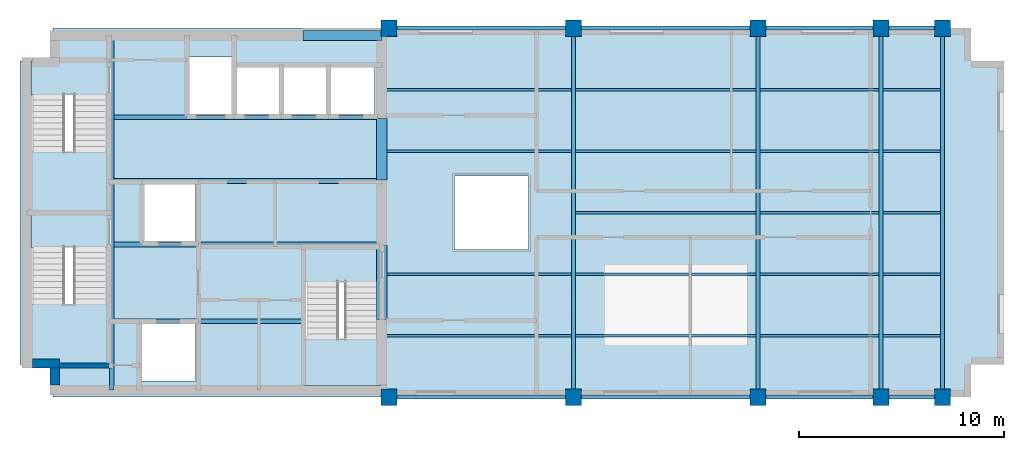
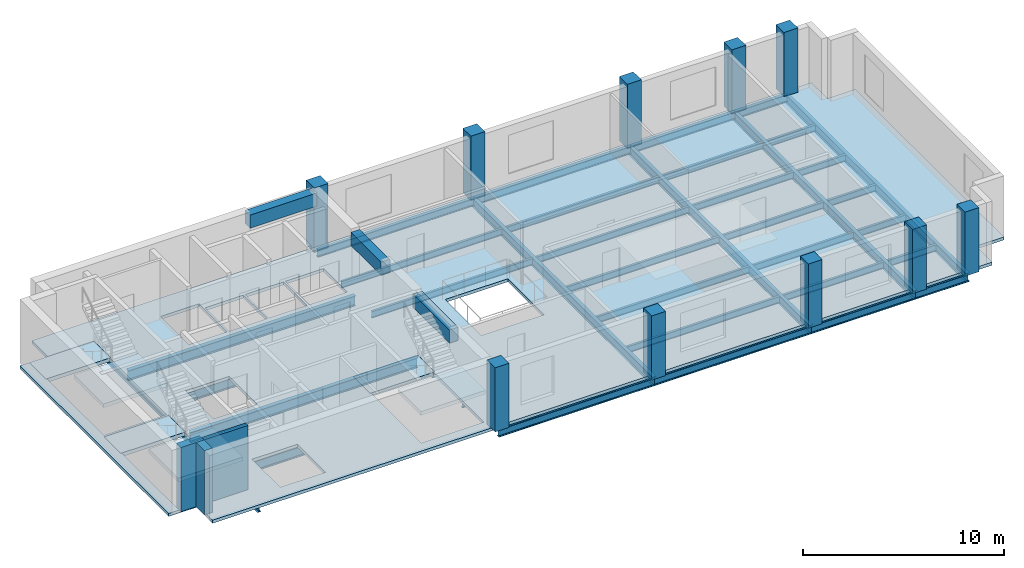
# One storey, part 1 of 5: 39 beams, 10 columns, 7 slabs, 3 walls, 3 elements without a shape of their own.
"""IFC4 building model written with IfcOpenShell, lengths in metres."""

from ifc_helpers import new_model, si_unit, direction, frame, frame_2d, origin, origin_2d, place, context, subcontext, project, spatial, polyline, rectangle, i_section, outline, extrude, material, layer, layer_set, material_profile, profile_set, type_object, element, aggregate, save


model = new_model("IFC4")

# Units and contexts
model_context = context("Model", 3, precision=1e-05, world=origin(), true_north=direction((0.0, 1.0)))
body_context = subcontext(model_context, "Body", "Model", "MODEL_VIEW")
ifc_project = project(units=[si_unit("LENGTHUNIT", "METRE"), si_unit("AREAUNIT", "SQUARE_METRE"), si_unit("VOLUMEUNIT", "CUBIC_METRE"), si_unit("PLANEANGLEUNIT", "RADIAN"), si_unit("MASSUNIT", "GRAM", prefix="KILO")], contexts=[model_context])

# Site, building, storey
site_placement = place(None, origin())
site = spatial("IfcSite", under=ifc_project, at=site_placement, CompositionType="ELEMENT")
building_placement = place(site_placement, origin())
building = spatial("IfcBuilding", under=site, at=building_placement, Name="Mawjdan Bourse Tower", CompositionType="ELEMENT")
storey_placement = place(building_placement, frame((0.0, 0.0, 282.0)))
storey = spatial("IfcBuildingStorey", under=building, at=storey_placement, Name="L69", CompositionType="ELEMENT", Elevation=282.0)

# Columns
ifc_material_1 = material(Name="Concrete C60/75", Category="concrete")
ifc_material_profile_1 = material_profile(ifc_material_1, rectangle(XDim=0.800048828125, YDim=0.800048828125, at=origin_2d()), Name="RC800X800")
ifc_profile_set_1 = profile_set([ifc_material_profile_1], Name="Concrete C60/75")
column_type = type_object("IfcColumnType", Name="COL-RC800X800", PredefinedType="COLUMN", material=ifc_profile_set_1)
for number, where, z_axis, x_axis, name in (
    (1, (24.0, 3.0, 0.0), (0.0, 0.0, 1.0), (1.0, 0.0, 0.0), "L69 Structural Column C-X240-Y30"),
    (2, (24.0, 21.0, 0.0), (0.0, 0.0, 1.0), (1.0, 0.0, 0.0), "L69 Structural Column C-X240-Y210"),
    (3, (33.0, 3.0, 0.0), (0.0, 0.0, 1.0), (1.0, 0.0, 0.0), "L69 Structural Column C-X330-Y30"),
    (4, (33.0, 21.0, 0.0), (0.0, 0.0, 1.0), (1.0, 0.0, 0.0), "L69 Structural Column C-X330-Y210"),
    (5, (42.0, 3.0, 0.0), (0.0, 0.0, 1.0), (1.0, 0.0, 0.0), "L69 Structural Column C-X420-Y30"),
    (6, (42.0, 21.0, 0.0), (0.0, 0.0, 1.0), (1.0, 0.0, 0.0), "L69 Structural Column C-X420-Y210"),
    (7, (48.0, 3.0, 0.0), (0.0, 0.0, 1.0), (1.0, 0.0, 0.0), "L69 Structural Column C-X480-Y30"),
    (8, (48.0, 21.0, 0.0), (0.0, 0.0, 1.0), (1.0, 0.0, 0.0), "L69 Structural Column C-X480-Y210"),
    (9, (51.0, 3.0, 0.0), (0.0, 0.0, 1.0), (1.0, 0.0, 0.0), "L69 Structural Column C-X510-Y30"),
    (10, (51.0, 21.0, 0.0), (0.0, 0.0, 1.0), (1.0, 0.0, 0.0), "L69 Structural Column C-X510-Y210"),
):
    element("IfcColumn", number, at=place(storey_placement, frame(where, z_axis=z_axis, x_axis=x_axis)), inside=storey, type_object=column_type, Name=name, PredefinedType="COLUMN", context=body_context, shape_type="SweptSolid", body=[
        extrude(rectangle(XDim=0.800048828125, YDim=0.800048828125, at=origin_2d()), origin(), (0.0, 0.0, 1.0), 3.89990234375),
    ])

# Beams
ifc_material_2 = material(Name="Structural Steel S355", Category="steel")
ifc_material_profile_2 = material_profile(ifc_material_2, i_section(OverallWidth=0.2119140625, OverallDepth=0.5439453125, WebThickness=0.01318359375, FlangeThickness=0.021240234375, FilletRadius=0.01708984375, at=origin_2d()), Name="W21X83")
ifc_profile_set_2 = profile_set([ifc_material_profile_2], Name="Structural Steel S355")
beam_type_1 = type_object("IfcBeamType", Name="GRD-W21X83", PredefinedType="BEAM", material=ifc_profile_set_2)
beam_1_placement = place(storey_placement, frame((10.47998046875, 3.35009765625, -0.45703125), z_axis=(0.0, 1.0, 0.0), x_axis=(-1.0, 0.0, 0.0)))
element("IfcBeam", 11, at=beam_1_placement, inside=storey, type_object=beam_type_1, Name="L69 Core Stair Trimmer Girder 001", PredefinedType="BEAM", context=body_context, shape_type="SweptSolid", body=[
    extrude(i_section(OverallWidth=0.2119140625, OverallDepth=0.5439453125, WebThickness=0.01318359375, FlangeThickness=0.021240234375, FilletRadius=0.01708984375, at=origin_2d()), origin(), (0.0, 0.0, 1.0), 17.2998046875),
])
for number, where, z_axis, x_axis, name in (
    (12, (33.0, 3.0, -0.45703125), (0.0, 1.0, 0.0), (-1.0, 0.0, 0.0), "L69 East Wing Clear-Span Girder 002"),
    (13, (42.0, 3.0, -0.45703125), (0.0, 1.0, 0.0), (-1.0, 0.0, 0.0), "L69 East Wing Clear-Span Girder 003"),
    (14, (48.0, 3.0, -0.45703125), (0.0, 1.0, 0.0), (-1.0, 0.0, 0.0), "L69 East Wing Clear-Span Girder 004"),
    (15, (51.0, 3.0, -0.45703125), (0.0, 1.0, 0.0), (-1.0, 0.0, 0.0), "L69 East Wing Clear-Span Girder 005"),
):
    element("IfcBeam", number, at=place(storey_placement, frame(where, z_axis=z_axis, x_axis=x_axis)), inside=storey, type_object=beam_type_1, Name=name, PredefinedType="BEAM", context=body_context, shape_type="SweptSolid", body=[
        extrude(i_section(OverallWidth=0.2119140625, OverallDepth=0.5439453125, WebThickness=0.01318359375, FlangeThickness=0.021240234375, FilletRadius=0.01708984375, at=origin_2d()), origin(), (0.0, 0.0, 1.0), 18.0),
    ])
ifc_material_profile_3 = material_profile(ifc_material_2, i_section(OverallWidth=0.139892578125, OverallDepth=0.404052734375, WebThickness=0.007080078125, FlangeThickness=0.01123046875, FilletRadius=0.009033203125, at=origin_2d()), Name="W16X31")
ifc_profile_set_3 = profile_set([ifc_material_profile_3], Name="Structural Steel S355")
beam_type_2 = type_object("IfcBeamType", Name="JST-W16X31", PredefinedType="JOIST", material=ifc_profile_set_3)
beam_2_placement = place(storey_placement, frame((23.64990234375, 6.0, -0.386962890625), z_axis=(1.0, 0.0, 0.0), x_axis=(0.0, 1.0, 0.0)))
element("IfcBeam", 16, at=beam_2_placement, inside=storey, type_object=beam_type_2, Name="L69 East Wing Composite Joist 014", PredefinedType="JOIST", context=body_context, shape_type="SweptSolid", body=[
    extrude(i_section(OverallWidth=0.139892578125, OverallDepth=0.404052734375, WebThickness=0.007080078125, FlangeThickness=0.01123046875, FilletRadius=0.009033203125, at=origin_2d()), origin(), (0.0, 0.0, 1.0), 9.24609375),
])
beam_3_placement = place(storey_placement, frame((33.10400390625, 6.0, -0.386962890625), z_axis=(1.0, 0.0, 0.0), x_axis=(0.0, 1.0, 0.0)))
element("IfcBeam", 17, at=beam_3_placement, inside=storey, type_object=beam_type_2, Name="L69 East Wing Composite Joist 015", PredefinedType="JOIST", context=body_context, shape_type="SweptSolid", body=[
    extrude(i_section(OverallWidth=0.139892578125, OverallDepth=0.404052734375, WebThickness=0.007080078125, FlangeThickness=0.01123046875, FilletRadius=0.009033203125, at=origin_2d()), origin(), (0.0, 0.0, 1.0), 8.7919921875),
])
beam_4_placement = place(storey_placement, frame((42.10400390625, 6.0, -0.386962890625), z_axis=(1.0, 0.0, 0.0), x_axis=(0.0, 1.0, 0.0)))
element("IfcBeam", 18, at=beam_4_placement, inside=storey, type_object=beam_type_2, Name="L69 East Wing Composite Joist 016", PredefinedType="JOIST", context=body_context, shape_type="SweptSolid", body=[
    extrude(i_section(OverallWidth=0.139892578125, OverallDepth=0.404052734375, WebThickness=0.007080078125, FlangeThickness=0.01123046875, FilletRadius=0.009033203125, at=origin_2d()), origin(), (0.0, 0.0, 1.0), 5.7919921875),
])
beam_5_placement = place(storey_placement, frame((48.10400390625, 6.0, -0.386962890625), z_axis=(1.0, 0.0, 0.0), x_axis=(0.0, 1.0, 0.0)))
element("IfcBeam", 19, at=beam_5_placement, inside=storey, type_object=beam_type_2, Name="L69 East Wing Composite Joist 017", PredefinedType="JOIST", context=body_context, shape_type="SweptSolid", body=[
    extrude(i_section(OverallWidth=0.139892578125, OverallDepth=0.404052734375, WebThickness=0.007080078125, FlangeThickness=0.01123046875, FilletRadius=0.009033203125, at=origin_2d()), origin(), (0.0, 0.0, 1.0), 2.7919921875),
])
beam_6_placement = place(storey_placement, frame((23.64990234375, 9.0, -0.386962890625), z_axis=(1.0, 0.0, 0.0), x_axis=(0.0, 1.0, 0.0)))
element("IfcBeam", 20, at=beam_6_placement, inside=storey, type_object=beam_type_2, Name="L69 East Wing Composite Joist 018", PredefinedType="JOIST", context=body_context, shape_type="SweptSolid", body=[
    extrude(i_section(OverallWidth=0.139892578125, OverallDepth=0.404052734375, WebThickness=0.007080078125, FlangeThickness=0.01123046875, FilletRadius=0.009033203125, at=origin_2d()), origin(), (0.0, 0.0, 1.0), 9.24609375),
])
beam_7_placement = place(storey_placement, frame((33.10400390625, 9.0, -0.386962890625), z_axis=(1.0, 0.0, 0.0), x_axis=(0.0, 1.0, 0.0)))
element("IfcBeam", 21, at=beam_7_placement, inside=storey, type_object=beam_type_2, Name="L69 East Wing Composite Joist 019", PredefinedType="JOIST", context=body_context, shape_type="SweptSolid", body=[
    extrude(i_section(OverallWidth=0.139892578125, OverallDepth=0.404052734375, WebThickness=0.007080078125, FlangeThickness=0.01123046875, FilletRadius=0.009033203125, at=origin_2d()), origin(), (0.0, 0.0, 1.0), 8.7919921875),
])
beam_8_placement = place(storey_placement, frame((42.10400390625, 9.0, -0.386962890625), z_axis=(1.0, 0.0, 0.0), x_axis=(0.0, 1.0, 0.0)))
element("IfcBeam", 22, at=beam_8_placement, inside=storey, type_object=beam_type_2, Name="L69 East Wing Composite Joist 020", PredefinedType="JOIST", context=body_context, shape_type="SweptSolid", body=[
    extrude(i_section(OverallWidth=0.139892578125, OverallDepth=0.404052734375, WebThickness=0.007080078125, FlangeThickness=0.01123046875, FilletRadius=0.009033203125, at=origin_2d()), origin(), (0.0, 0.0, 1.0), 5.7919921875),
])
beam_9_placement = place(storey_placement, frame((48.10400390625, 9.0, -0.386962890625), z_axis=(1.0, 0.0, 0.0), x_axis=(0.0, 1.0, 0.0)))
element("IfcBeam", 23, at=beam_9_placement, inside=storey, type_object=beam_type_2, Name="L69 East Wing Composite Joist 021", PredefinedType="JOIST", context=body_context, shape_type="SweptSolid", body=[
    extrude(i_section(OverallWidth=0.139892578125, OverallDepth=0.404052734375, WebThickness=0.007080078125, FlangeThickness=0.01123046875, FilletRadius=0.009033203125, at=origin_2d()), origin(), (0.0, 0.0, 1.0), 2.7919921875),
])
beam_10_placement = place(storey_placement, frame((33.10400390625, 12.0, -0.386962890625), z_axis=(1.0, 0.0, 0.0), x_axis=(0.0, 1.0, 0.0)))
element("IfcBeam", 24, at=beam_10_placement, inside=storey, type_object=beam_type_2, Name="L69 East Wing Composite Joist 022", PredefinedType="JOIST", context=body_context, shape_type="SweptSolid", body=[
    extrude(i_section(OverallWidth=0.139892578125, OverallDepth=0.404052734375, WebThickness=0.007080078125, FlangeThickness=0.01123046875, FilletRadius=0.009033203125, at=origin_2d()), origin(), (0.0, 0.0, 1.0), 8.7919921875),
])
beam_11_placement = place(storey_placement, frame((42.10400390625, 12.0, -0.386962890625), z_axis=(1.0, 0.0, 0.0), x_axis=(0.0, 1.0, 0.0)))
element("IfcBeam", 25, at=beam_11_placement, inside=storey, type_object=beam_type_2, Name="L69 East Wing Composite Joist 023", PredefinedType="JOIST", context=body_context, shape_type="SweptSolid", body=[
    extrude(i_section(OverallWidth=0.139892578125, OverallDepth=0.404052734375, WebThickness=0.007080078125, FlangeThickness=0.01123046875, FilletRadius=0.009033203125, at=origin_2d()), origin(), (0.0, 0.0, 1.0), 5.7919921875),
])
beam_12_placement = place(storey_placement, frame((48.10400390625, 12.0, -0.386962890625), z_axis=(1.0, 0.0, 0.0), x_axis=(0.0, 1.0, 0.0)))
element("IfcBeam", 26, at=beam_12_placement, inside=storey, type_object=beam_type_2, Name="L69 East Wing Composite Joist 024", PredefinedType="JOIST", context=body_context, shape_type="SweptSolid", body=[
    extrude(i_section(OverallWidth=0.139892578125, OverallDepth=0.404052734375, WebThickness=0.007080078125, FlangeThickness=0.01123046875, FilletRadius=0.009033203125, at=origin_2d()), origin(), (0.0, 0.0, 1.0), 2.7919921875),
])
beam_13_placement = place(storey_placement, frame((23.64990234375, 15.0, -0.386962890625), z_axis=(1.0, 0.0, 0.0), x_axis=(0.0, 1.0, 0.0)))
element("IfcBeam", 27, at=beam_13_placement, inside=storey, type_object=beam_type_2, Name="L69 East Wing Composite Joist 025", PredefinedType="JOIST", context=body_context, shape_type="SweptSolid", body=[
    extrude(i_section(OverallWidth=0.139892578125, OverallDepth=0.404052734375, WebThickness=0.007080078125, FlangeThickness=0.01123046875, FilletRadius=0.009033203125, at=origin_2d()), origin(), (0.0, 0.0, 1.0), 9.24609375),
])
beam_14_placement = place(storey_placement, frame((33.10400390625, 15.0, -0.386962890625), z_axis=(1.0, 0.0, 0.0), x_axis=(0.0, 1.0, 0.0)))
element("IfcBeam", 28, at=beam_14_placement, inside=storey, type_object=beam_type_2, Name="L69 East Wing Composite Joist 026", PredefinedType="JOIST", context=body_context, shape_type="SweptSolid", body=[
    extrude(i_section(OverallWidth=0.139892578125, OverallDepth=0.404052734375, WebThickness=0.007080078125, FlangeThickness=0.01123046875, FilletRadius=0.009033203125, at=origin_2d()), origin(), (0.0, 0.0, 1.0), 8.7919921875),
])
beam_15_placement = place(storey_placement, frame((42.10400390625, 15.0, -0.386962890625), z_axis=(1.0, 0.0, 0.0), x_axis=(0.0, 1.0, 0.0)))
element("IfcBeam", 29, at=beam_15_placement, inside=storey, type_object=beam_type_2, Name="L69 East Wing Composite Joist 027", PredefinedType="JOIST", context=body_context, shape_type="SweptSolid", body=[
    extrude(i_section(OverallWidth=0.139892578125, OverallDepth=0.404052734375, WebThickness=0.007080078125, FlangeThickness=0.01123046875, FilletRadius=0.009033203125, at=origin_2d()), origin(), (0.0, 0.0, 1.0), 5.7919921875),
])
beam_16_placement = place(storey_placement, frame((48.10400390625, 15.0, -0.386962890625), z_axis=(1.0, 0.0, 0.0), x_axis=(0.0, 1.0, 0.0)))
element("IfcBeam", 30, at=beam_16_placement, inside=storey, type_object=beam_type_2, Name="L69 East Wing Composite Joist 028", PredefinedType="JOIST", context=body_context, shape_type="SweptSolid", body=[
    extrude(i_section(OverallWidth=0.139892578125, OverallDepth=0.404052734375, WebThickness=0.007080078125, FlangeThickness=0.01123046875, FilletRadius=0.009033203125, at=origin_2d()), origin(), (0.0, 0.0, 1.0), 2.7919921875),
])
beam_17_placement = place(storey_placement, frame((23.64990234375, 18.0, -0.386962890625), z_axis=(1.0, 0.0, 0.0), x_axis=(0.0, 1.0, 0.0)))
element("IfcBeam", 31, at=beam_17_placement, inside=storey, type_object=beam_type_2, Name="L69 East Wing Composite Joist 029", PredefinedType="JOIST", context=body_context, shape_type="SweptSolid", body=[
    extrude(i_section(OverallWidth=0.139892578125, OverallDepth=0.404052734375, WebThickness=0.007080078125, FlangeThickness=0.01123046875, FilletRadius=0.009033203125, at=origin_2d()), origin(), (0.0, 0.0, 1.0), 9.24609375),
])
beam_18_placement = place(storey_placement, frame((33.10400390625, 18.0, -0.386962890625), z_axis=(1.0, 0.0, 0.0), x_axis=(0.0, 1.0, 0.0)))
element("IfcBeam", 32, at=beam_18_placement, inside=storey, type_object=beam_type_2, Name="L69 East Wing Composite Joist 030", PredefinedType="JOIST", context=body_context, shape_type="SweptSolid", body=[
    extrude(i_section(OverallWidth=0.139892578125, OverallDepth=0.404052734375, WebThickness=0.007080078125, FlangeThickness=0.01123046875, FilletRadius=0.009033203125, at=origin_2d()), origin(), (0.0, 0.0, 1.0), 8.7919921875),
])
beam_19_placement = place(storey_placement, frame((42.10400390625, 18.0, -0.386962890625), z_axis=(1.0, 0.0, 0.0), x_axis=(0.0, 1.0, 0.0)))
element("IfcBeam", 33, at=beam_19_placement, inside=storey, type_object=beam_type_2, Name="L69 East Wing Composite Joist 031", PredefinedType="JOIST", context=body_context, shape_type="SweptSolid", body=[
    extrude(i_section(OverallWidth=0.139892578125, OverallDepth=0.404052734375, WebThickness=0.007080078125, FlangeThickness=0.01123046875, FilletRadius=0.009033203125, at=origin_2d()), origin(), (0.0, 0.0, 1.0), 5.7919921875),
])
beam_20_placement = place(storey_placement, frame((48.10400390625, 18.0, -0.386962890625), z_axis=(1.0, 0.0, 0.0), x_axis=(0.0, 1.0, 0.0)))
element("IfcBeam", 34, at=beam_20_placement, inside=storey, type_object=beam_type_2, Name="L69 East Wing Composite Joist 032", PredefinedType="JOIST", context=body_context, shape_type="SweptSolid", body=[
    extrude(i_section(OverallWidth=0.139892578125, OverallDepth=0.404052734375, WebThickness=0.007080078125, FlangeThickness=0.01123046875, FilletRadius=0.009033203125, at=origin_2d()), origin(), (0.0, 0.0, 1.0), 2.7919921875),
])
ifc_material_profile_4 = material_profile(ifc_material_2, i_section(OverallWidth=0.22998046875, OverallDepth=0.616943359375, WebThickness=0.01318359375, FlangeThickness=0.022216796875, FilletRadius=0.017822265625, at=origin_2d()), Name="W24X94")
ifc_profile_set_4 = profile_set([ifc_material_profile_4], Name="Structural Steel S355")
beam_type_3 = type_object("IfcBeamType", Name="JST-W24X94", PredefinedType="JOIST", material=ifc_profile_set_4)
beam_21_placement = place(storey_placement, frame((10.583984375, 6.699951171875, -0.493408203125), z_axis=(1.0, 0.0, 0.0), x_axis=(0.0, 1.0, 0.0)))
element("IfcBeam", 35, at=beam_21_placement, inside=storey, type_object=beam_type_3, Name="L69 Core Floor Joist 033", PredefinedType="JOIST", context=body_context, shape_type="SweptSolid", body=[
    extrude(i_section(OverallWidth=0.22998046875, OverallDepth=0.616943359375, WebThickness=0.01318359375, FlangeThickness=0.022216796875, FilletRadius=0.017822265625, at=origin_2d()), origin(), (0.0, 0.0, 1.0), 9.24609375),
])
for number, where, z_axis, x_axis, name in (
    (36, (10.583984375, 10.449951171875, -0.493408203125), (1.0, 0.0, 0.0), (0.0, 1.0, 0.0), "L69 Core Floor Joist 034"),
    (37, (10.583984375, 13.550048828125, -0.493408203125), (1.0, 0.0, 0.0), (0.0, 1.0, 0.0), "L69 Core Floor Joist 035"),
    (38, (10.583984375, 16.64990234375, -0.493408203125), (1.0, 0.0, 0.0), (0.0, 1.0, 0.0), "L69 Core Floor Joist 036"),
):
    element("IfcBeam", number, at=place(storey_placement, frame(where, z_axis=z_axis, x_axis=x_axis)), inside=storey, type_object=beam_type_3, Name=name, PredefinedType="JOIST", context=body_context, shape_type="SweptSolid", body=[
        extrude(i_section(OverallWidth=0.22998046875, OverallDepth=0.616943359375, WebThickness=0.01318359375, FlangeThickness=0.022216796875, FilletRadius=0.017822265625, at=origin_2d()), origin(), (0.0, 0.0, 1.0), 13.06591796875),
    ])
ifc_material_3 = material(Name="Concrete C70/85", Category="concrete")
ifc_material_profile_5 = material_profile(ifc_material_3, rectangle(XDim=0.5, YDim=0.800048828125, at=origin_2d()), Name="RCB500X800")
ifc_profile_set_5 = profile_set([ifc_material_profile_5], Name="Concrete C70/85")
beam_type_4 = type_object("IfcBeamType", Name="LNT-RCB500X800", PredefinedType="LINTEL", material=ifc_profile_set_5)
beam_22_placement = place(storey_placement, frame((23.64990234375, 6.800048828125, 3.31494140625), z_axis=(0.0, 1.0, 0.0), x_axis=(-1.0, 0.0, 0.0)))
element("IfcBeam", 39, at=beam_22_placement, inside=storey, type_object=beam_type_4, Name="L69 Coupled Core Lintel CB-E1", PredefinedType="LINTEL", context=body_context, shape_type="SweptSolid", body=[
    extrude(rectangle(XDim=0.5, YDim=0.800048828125, at=origin_2d()), origin(), (0.0, 0.0, 1.0), 3.599853515625),
])
beam_23_placement = place(storey_placement, frame((23.64990234375, 13.60009765625, 3.31494140625), z_axis=(0.0, 1.0, 0.0), x_axis=(-1.0, 0.0, 0.0)))
element("IfcBeam", 40, at=beam_23_placement, inside=storey, type_object=beam_type_4, Name="L69 Coupled Core Lintel CB-E2", PredefinedType="LINTEL", context=body_context, shape_type="SweptSolid", body=[
    extrude(rectangle(XDim=0.5, YDim=0.800048828125, at=origin_2d()), origin(), (0.0, 0.0, 1.0), 3.0),
])
beam_24_placement = place(storey_placement, frame((19.800048828125, 20.64990234375, 3.31494140625), z_axis=(1.0, 0.0, 0.0), x_axis=(0.0, 1.0, 0.0)))
element("IfcBeam", 41, at=beam_24_placement, inside=storey, type_object=beam_type_4, Name="L69 Coupled Core Lintel CB-N1", PredefinedType="LINTEL", context=body_context, shape_type="SweptSolid", body=[
    extrude(rectangle(XDim=0.5, YDim=0.800048828125, at=origin_2d()), origin(), (0.0, 0.0, 1.0), 3.849853515625),
])
ifc_material_profile_6 = material_profile(ifc_material_2, i_section(OverallWidth=0.19189453125, OverallDepth=0.462890625, WebThickness=0.010498046875, FlangeThickness=0.017578125, FilletRadius=0.01416015625, at=origin_2d()), Name="W18X60")
ifc_profile_set_6 = profile_set([ifc_material_profile_6], Name="Structural Steel S355")
beam_type_5 = type_object("IfcBeamType", Name="SPN-W18X60", PredefinedType="SPANDREL", material=ifc_profile_set_6)
for number, where, z_axis, x_axis, name in (
    (42, (24.0, 3.0, -0.41650390625), (1.0, 0.0, 0.0), (0.0, 1.0, 0.0), "L69 Perimeter Masonry-Shelf Spandrel 006"),
    (43, (33.0, 3.0, -0.41650390625), (1.0, 0.0, 0.0), (0.0, 1.0, 0.0), "L69 Perimeter Masonry-Shelf Spandrel 007"),
):
    element("IfcBeam", number, at=place(storey_placement, frame(where, z_axis=z_axis, x_axis=x_axis)), inside=storey, type_object=beam_type_5, Name=name, PredefinedType="SPANDREL", context=body_context, shape_type="SweptSolid", body=[
        extrude(i_section(OverallWidth=0.19189453125, OverallDepth=0.462890625, WebThickness=0.010498046875, FlangeThickness=0.017578125, FilletRadius=0.01416015625, at=origin_2d()), origin(), (0.0, 0.0, 1.0), 9.0),
    ])
beam_25_placement = place(storey_placement, frame((42.0, 3.0, -0.41650390625), z_axis=(1.0, 0.0, 0.0), x_axis=(0.0, 1.0, 0.0)))
element("IfcBeam", 44, at=beam_25_placement, inside=storey, type_object=beam_type_5, Name="L69 Perimeter Masonry-Shelf Spandrel 008", PredefinedType="SPANDREL", context=body_context, shape_type="SweptSolid", body=[
    extrude(i_section(OverallWidth=0.19189453125, OverallDepth=0.462890625, WebThickness=0.010498046875, FlangeThickness=0.017578125, FilletRadius=0.01416015625, at=origin_2d()), origin(), (0.0, 0.0, 1.0), 6.0),
])
beam_26_placement = place(storey_placement, frame((48.0, 3.0, -0.41650390625), z_axis=(1.0, 0.0, 0.0), x_axis=(0.0, 1.0, 0.0)))
element("IfcBeam", 45, at=beam_26_placement, inside=storey, type_object=beam_type_5, Name="L69 Perimeter Masonry-Shelf Spandrel 009", PredefinedType="SPANDREL", context=body_context, shape_type="SweptSolid", body=[
    extrude(i_section(OverallWidth=0.19189453125, OverallDepth=0.462890625, WebThickness=0.010498046875, FlangeThickness=0.017578125, FilletRadius=0.01416015625, at=origin_2d()), origin(), (0.0, 0.0, 1.0), 3.0),
])
for number, where, z_axis, x_axis, name in (
    (46, (24.0, 21.0, -0.41650390625), (1.0, 0.0, 0.0), (0.0, 1.0, 0.0), "L69 Perimeter Masonry-Shelf Spandrel 010"),
    (47, (33.0, 21.0, -0.41650390625), (1.0, 0.0, 0.0), (0.0, 1.0, 0.0), "L69 Perimeter Masonry-Shelf Spandrel 011"),
):
    element("IfcBeam", number, at=place(storey_placement, frame(where, z_axis=z_axis, x_axis=x_axis)), inside=storey, type_object=beam_type_5, Name=name, PredefinedType="SPANDREL", context=body_context, shape_type="SweptSolid", body=[
        extrude(i_section(OverallWidth=0.19189453125, OverallDepth=0.462890625, WebThickness=0.010498046875, FlangeThickness=0.017578125, FilletRadius=0.01416015625, at=origin_2d()), origin(), (0.0, 0.0, 1.0), 9.0),
    ])
beam_27_placement = place(storey_placement, frame((42.0, 21.0, -0.41650390625), z_axis=(1.0, 0.0, 0.0), x_axis=(0.0, 1.0, 0.0)))
element("IfcBeam", 48, at=beam_27_placement, inside=storey, type_object=beam_type_5, Name="L69 Perimeter Masonry-Shelf Spandrel 012", PredefinedType="SPANDREL", context=body_context, shape_type="SweptSolid", body=[
    extrude(i_section(OverallWidth=0.19189453125, OverallDepth=0.462890625, WebThickness=0.010498046875, FlangeThickness=0.017578125, FilletRadius=0.01416015625, at=origin_2d()), origin(), (0.0, 0.0, 1.0), 6.0),
])
beam_28_placement = place(storey_placement, frame((48.0, 21.0, -0.41650390625), z_axis=(1.0, 0.0, 0.0), x_axis=(0.0, 1.0, 0.0)))
element("IfcBeam", 49, at=beam_28_placement, inside=storey, type_object=beam_type_5, Name="L69 Perimeter Masonry-Shelf Spandrel 013", PredefinedType="SPANDREL", context=body_context, shape_type="SweptSolid", body=[
    extrude(i_section(OverallWidth=0.19189453125, OverallDepth=0.462890625, WebThickness=0.010498046875, FlangeThickness=0.017578125, FilletRadius=0.01416015625, at=origin_2d()), origin(), (0.0, 0.0, 1.0), 3.0),
])

# Stair, slabs
ifc_material_4 = material(Name="Concrete C50/60", Category="concrete")
stair_type = type_object("IfcStairType", Name="STR-CORE-1500", PredefinedType="HALF_TURN_STAIR", material=ifc_material_4)
stair_1_placement = place(storey_placement, origin())
stair_1 = element("IfcStair", 50, at=stair_1_placement, inside=storey, type_object=stair_type, Name="L69 Exit Stair 1 (Core South-West)", PredefinedType="HALF_TURN_STAIR")
ifc_layer_1 = layer(ifc_material_4, 0.22998046875)
ifc_layer_set_1 = layer_set([ifc_layer_1], Name="Concrete C50/60")
slab_type_1 = type_object("IfcSlabType", Name="SL-LND-230", PredefinedType="LANDING", material=ifc_layer_set_1)
slab_1_placement = place(storey_placement, frame((0.0, 0.0, -0.22998046875)))
slab_1 = element("IfcSlab", 51, at=slab_1_placement, type_object=slab_type_1, Name="ST1-L69 landing 1", PredefinedType="LANDING", context=body_context, shape_type="SweptSolid", body=[
    extrude(outline(polyline([(6.5400390625, 10.31005859375), (10.260009765625, 10.31005859375), (10.260009765625, 11.969970703125), (6.5400390625, 11.969970703125), (6.5400390625, 10.31005859375)])), origin(), (0.0, 0.0, 1.0), 0.22998046875),
])
slab_2_placement = place(storey_placement, frame((0.0, 0.0, 1.719970703125)))
slab_2 = element("IfcSlab", 52, at=slab_2_placement, type_object=slab_type_1, Name="ST1-L69 landing 2", PredefinedType="LANDING", context=body_context, shape_type="SweptSolid", body=[
    extrude(outline(polyline([(6.5400390625, 4.590087890625), (10.260009765625, 4.590087890625), (10.260009765625, 7.5400390625), (6.5400390625, 7.5400390625), (6.5400390625, 4.590087890625)])), origin(), (0.0, 0.0, 1.0), 0.22998046875),
])
aggregate(stair_1, [slab_1, slab_2])

stair_2_placement = place(storey_placement, origin())
stair_2 = element("IfcStair", 53, at=stair_2_placement, inside=storey, type_object=stair_type, Name="L69 Exit Stair 2 (Core North-West)", PredefinedType="HALF_TURN_STAIR")
slab_3_placement = place(storey_placement, frame((0.0, 0.0, -0.22998046875)))
slab_3 = element("IfcSlab", 54, at=slab_3_placement, type_object=slab_type_1, Name="ST2-L69 landing 1", PredefinedType="LANDING", context=body_context, shape_type="SweptSolid", body=[
    extrude(outline(polyline([(6.5400390625, 17.75), (10.260009765625, 17.75), (10.260009765625, 19.409912109375), (6.5400390625, 19.409912109375), (6.5400390625, 17.75)])), origin(), (0.0, 0.0, 1.0), 0.22998046875),
])
slab_4_placement = place(storey_placement, frame((0.0, 0.0, 1.719970703125)))
slab_4 = element("IfcSlab", 55, at=slab_4_placement, type_object=slab_type_1, Name="ST2-L69 landing 2", PredefinedType="LANDING", context=body_context, shape_type="SweptSolid", body=[
    extrude(outline(polyline([(6.5400390625, 12.030029296875), (10.260009765625, 12.030029296875), (10.260009765625, 14.97998046875), (6.5400390625, 14.97998046875), (6.5400390625, 12.030029296875)])), origin(), (0.0, 0.0, 1.0), 0.22998046875),
])
aggregate(stair_2, [slab_3, slab_4])

stair_3_placement = place(storey_placement, origin())
stair_3 = element("IfcStair", 56, at=stair_3_placement, inside=storey, type_object=stair_type, Name="L69 Exit Stair 7 (Core South-East)", PredefinedType="HALF_TURN_STAIR")
slab_5_placement = place(storey_placement, frame((0.0, 0.0, -0.22998046875)))
slab_5 = element("IfcSlab", 57, at=slab_5_placement, type_object=slab_type_1, Name="ST7-L69 landing 1", PredefinedType="LANDING", context=body_context, shape_type="SweptSolid", body=[
    extrude(outline(polyline([(19.889892578125, 8.6201171875), (23.610107421875, 8.6201171875), (23.610107421875, 10.280029296875), (19.889892578125, 10.280029296875), (19.889892578125, 8.6201171875)])), origin(), (0.0, 0.0, 1.0), 0.22998046875),
])
slab_6_placement = place(storey_placement, frame((0.0, 0.0, 1.719970703125)))
slab_6 = element("IfcSlab", 58, at=slab_6_placement, type_object=slab_type_1, Name="ST7-L69 landing 2", PredefinedType="LANDING", context=body_context, shape_type="SweptSolid", body=[
    extrude(outline(polyline([(19.889892578125, 3.56005859375), (23.610107421875, 3.56005859375), (23.610107421875, 5.85009765625), (19.889892578125, 5.85009765625), (19.889892578125, 3.56005859375)])), origin(), (0.0, 0.0, 1.0), 0.22998046875),
])
aggregate(stair_3, [slab_5, slab_6])

# Slab
ifc_layer_2 = layer(ifc_material_4, 0.18505859375)
ifc_layer_set_2 = layer_set([ifc_layer_2], Name="Concrete C50/60")
slab_type_2 = type_object("IfcSlabType", Name="SL-SMT-185", PredefinedType="FLOOR", material=ifc_layer_set_2)
slab_7_placement = place(storey_placement, frame((0.0, 0.0, -0.18505859375)))
element("IfcSlab", 59, at=slab_7_placement, inside=storey, type_object=slab_type_2, Name="L69 Structural Floor Slab 1", PredefinedType="FLOOR", context=body_context, shape_type="SweptSolid", body=[
    extrude(outline(polyline([(7.60009765625, 3.0), (52.39990234375, 3.0), (52.39990234375, 4.60009765625), (54.0, 4.60009765625), (54.0, 19.39990234375), (52.39990234375, 19.39990234375), (52.39990234375, 21.0), (7.60009765625, 21.0), (7.60009765625, 19.39990234375), (6.0, 19.39990234375), (6.0, 4.60009765625), (7.60009765625, 4.60009765625), (7.60009765625, 3.0)]), holes=[polyline([(14.550048828125, 3.800048828125), (11.949951171875, 3.800048828125), (11.949951171875, 6.60009765625), (14.550048828125, 6.60009765625), (14.550048828125, 3.800048828125)]), polyline([(10.260009765625, 11.969970703125), (10.260009765625, 10.31005859375), (10.199951171875, 10.31005859375), (10.199951171875, 4.64990234375), (6.60009765625, 4.64990234375), (6.60009765625, 10.31005859375), (6.5400390625, 10.31005859375), (6.5400390625, 11.969970703125), (10.260009765625, 11.969970703125)]), polyline([(14.550048828125, 10.60009765625), (12.050048828125, 10.60009765625), (12.050048828125, 13.39990234375), (14.550048828125, 13.39990234375), (14.550048828125, 10.60009765625)]), polyline([(6.60009765625, 12.090087890625), (6.60009765625, 17.75), (6.5400390625, 17.75), (6.5400390625, 19.3798828125), (7.60009765625, 19.3798828125), (7.60205078125, 19.380126953125), (7.60400390625, 19.38037109375), (7.605712890625, 19.380859375), (7.607666015625, 19.381591796875), (7.609375, 19.38232421875), (7.611083984375, 19.38330078125), (7.61279296875, 19.384521484375), (7.614013671875, 19.385986328125), (7.615478515625, 19.38720703125), (7.61669921875, 19.388916015625), (7.61767578125, 19.390625), (7.618408203125, 19.392333984375), (7.619140625, 19.394287109375), (7.61962890625, 19.39599609375), (7.619873046875, 19.39794921875), (7.6201171875, 19.39990234375), (7.6201171875, 19.409912109375), (10.260009765625, 19.409912109375), (10.260009765625, 17.75), (10.199951171875, 17.75), (10.199951171875, 12.090087890625), (6.60009765625, 12.090087890625)]), polyline([(14.199951171875, 16.800048828125), (14.199951171875, 19.60009765625), (16.39990234375, 19.60009765625), (16.39990234375, 16.800048828125), (14.199951171875, 16.800048828125)]), polyline([(23.610107421875, 10.280029296875), (23.610107421875, 8.6201171875), (23.550048828125, 8.6201171875), (23.550048828125, 3.6201171875), (19.949951171875, 3.6201171875), (19.949951171875, 8.6201171875), (19.889892578125, 8.6201171875), (19.889892578125, 10.280029296875), (23.610107421875, 10.280029296875)]), polyline([(27.199951171875, 10.199951171875), (27.199951171875, 13.800048828125), (30.800048828125, 13.800048828125), (30.800048828125, 10.199951171875), (27.199951171875, 10.199951171875)]), polyline([(16.5, 16.800048828125), (16.5, 19.14990234375), (18.699951171875, 19.14990234375), (18.699951171875, 16.800048828125), (16.5, 16.800048828125)]), polyline([(18.800048828125, 16.800048828125), (18.800048828125, 19.14990234375), (21.0, 19.14990234375), (21.0, 16.800048828125), (18.800048828125, 16.800048828125)]), polyline([(21.10009765625, 16.800048828125), (21.10009765625, 19.14990234375), (23.300048828125, 19.14990234375), (23.300048828125, 16.800048828125), (21.10009765625, 16.800048828125)])]), origin(), (0.0, 0.0, 1.0), 0.18505859375),
])

# Walls
ifc_layer_3 = layer(ifc_material_1, 0.449951171875)
ifc_layer_set_3 = layer_set([ifc_layer_3], Name="Concrete C60/75")
wall_type_1 = type_object("IfcWallType", Name="WL-CORE-450", PredefinedType="SHEAR", material=ifc_layer_set_3)
wall_1_placement = place(storey_placement, frame((6.60009765625, 4.64990234375, 0.0), z_axis=(0.0, 0.0, 1.0), x_axis=(1.0, 0.0, 0.0)))
element("IfcWall", 60, at=wall_1_placement, inside=storey, type_object=wall_type_1, Name="L69 Rear Core Shear Wall SW-X", PredefinedType="SHEAR", context=body_context, shape_type="SweptSolid", body=[
    extrude(rectangle(XDim=1.324951171875, YDim=0.449951171875, at=frame_2d((0.66259765625, 0.0))), origin(), (0.0, 0.0, 1.0), 3.89990234375),
])
wall_2_placement = place(storey_placement, frame((7.699951171875, 3.60009765625, 0.0), z_axis=(0.0, 0.0, 1.0), x_axis=(0.0, 1.0, 0.0)))
element("IfcWall", 61, at=wall_2_placement, inside=storey, type_object=wall_type_1, Name="L69 Rear Core Shear Wall SW-Y", PredefinedType="SHEAR", context=body_context, shape_type="SweptSolid", body=[
    extrude(rectangle(XDim=0.824951171875, YDim=0.449951171875, at=frame_2d((0.41259765625, 0.0))), origin(), (0.0, 0.0, 1.0), 3.89990234375),
])
ifc_layer_4 = layer(ifc_material_4, 0.25)
ifc_layer_set_4 = layer_set([ifc_layer_4], Name="Concrete C50/60")
wall_type_2 = type_object("IfcWallType", Name="WL-STRW-250", PredefinedType="SHEAR", material=ifc_layer_set_4)
wall_3_placement = place(storey_placement, frame((7.699951171875, 4.550048828125, 0.0), z_axis=(0.0, 0.0, 1.0), x_axis=(1.0, 0.0, 0.0)))
element("IfcWall", 62, at=wall_3_placement, inside=storey, type_object=wall_type_2, Name="L69 Stairwell ST1 South Shaft Wall", PredefinedType="SHEAR", context=body_context, shape_type="SweptSolid", body=[
    extrude(rectangle(XDim=2.755126953125, YDim=0.25, at=frame_2d((1.37744140625, 0.0))), origin(), (0.0, 0.0, 1.0), 3.89990234375),
])

save(model, "model.ifc")
